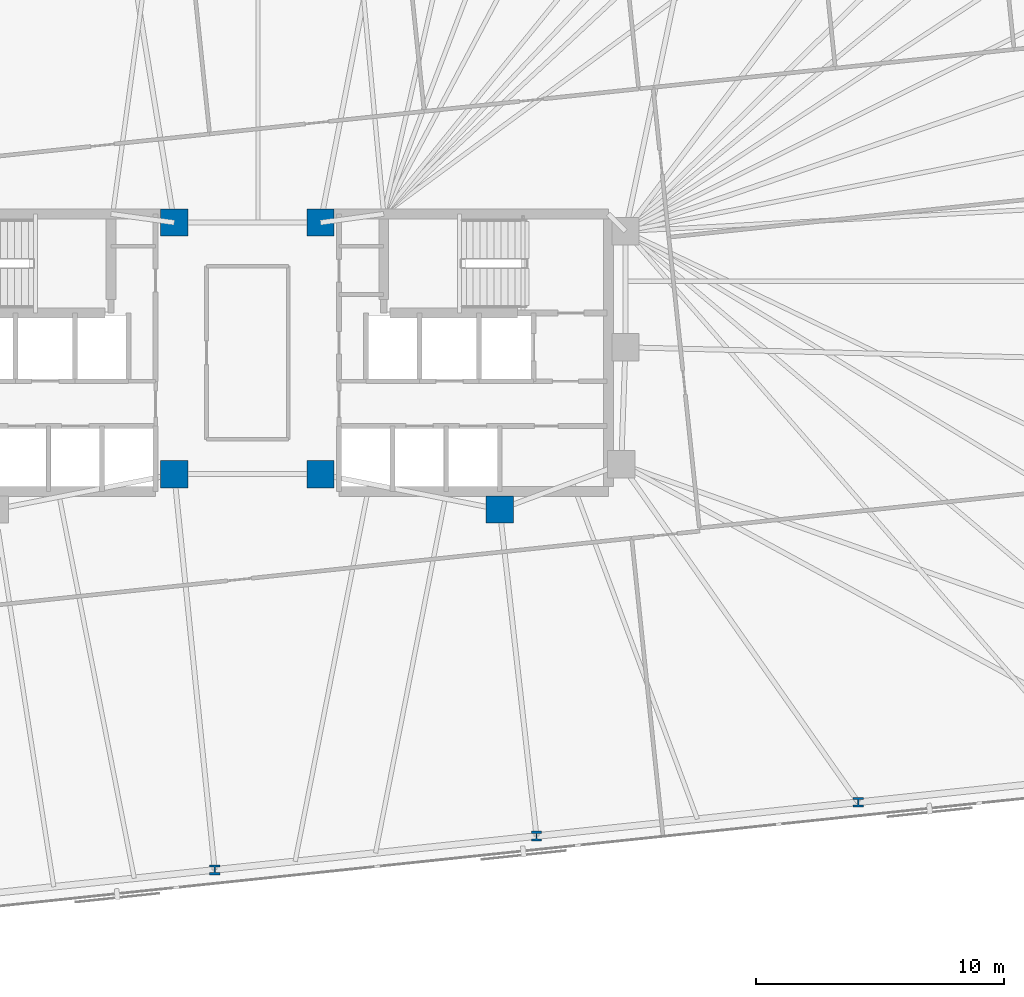
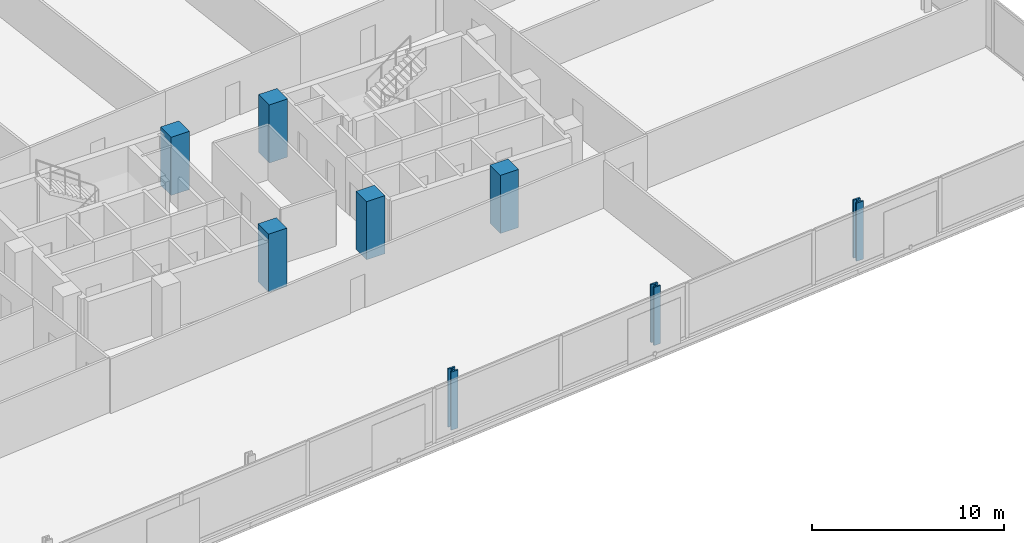
# One storey, part 3 of 18: 8 columns.
"""IFC4 building model written with IfcOpenShell, lengths in metres."""

from ifc_helpers import new_model, si_unit, direction, frame, origin, origin_2d, place, context, subcontext, project, spatial, rectangle, i_section, extrude, material, material_profile, profile_set, type_object, element, save


model = new_model("IFC4")

# Units and contexts
model_context = context("Model", 3, precision=1e-05, world=origin(), true_north=direction((0.0, 1.0)))
body_context = subcontext(model_context, "Body", "Model", "MODEL_VIEW")
ifc_project = project(units=[si_unit("LENGTHUNIT", "METRE"), si_unit("AREAUNIT", "SQUARE_METRE"), si_unit("VOLUMEUNIT", "CUBIC_METRE"), si_unit("PLANEANGLEUNIT", "RADIAN"), si_unit("MASSUNIT", "GRAM", prefix="KILO")], contexts=[model_context])

# Site, building, storey
site_placement = place(None, origin())
site = spatial("IfcSite", under=ifc_project, at=site_placement, CompositionType="ELEMENT")
building_placement = place(site_placement, origin())
building = spatial("IfcBuilding", under=site, at=building_placement, Name="Menara Jurai Vektor", CompositionType="ELEMENT")
storey_placement = place(building_placement, frame((0.0, 0.0, 105.89990234375)))
storey = spatial("IfcBuildingStorey", under=building, at=storey_placement, Name="L26", CompositionType="ELEMENT", Elevation=105.89990234375)

# Columns
ifc_material_1 = material(Name="Concrete C50/60", Category="concrete")
ifc_material_profile_1 = material_profile(ifc_material_1, rectangle(XDim=1.10009765625, YDim=1.10009765625, at=origin_2d()), Name="RC 1100x1100")
ifc_profile_set_1 = profile_set([ifc_material_profile_1], Name="Concrete C50/60")
column_type_1 = type_object("IfcColumnType", Name="STR-COL-RC1100", PredefinedType="COLUMN", material=ifc_profile_set_1)
for number, where, z_axis, x_axis, name in (
    (1, (-2.949951171875, -4.89990234375, 0.0), (0.0, 0.0, 1.0), (1.0, 0.0, 0.0), "Core Spine Column CW-SE L26"),
    (2, (-2.949951171875, 5.25, 0.0), (0.0, 0.0, 1.0), (1.0, 0.0, 0.0), "Core Spine Column CW-NE L26"),
    (3, (10.179931640625, -6.320068359375, 0.0), (0.0, 0.0, 1.0), (1.0, 0.0, 0.0), "Core Spine Column CE-SM L26"),
    (4, (2.949951171875, -4.89990234375, 0.0), (0.0, 0.0, 1.0), (1.0, 0.0, 0.0), "Core Spine Column CE-SW L26"),
    (5, (2.949951171875, 5.25, 0.0), (0.0, 0.0, 1.0), (1.0, 0.0, 0.0), "Core Spine Column CE-NW L26"),
):
    element("IfcColumn", number, at=place(storey_placement, frame(where, z_axis=z_axis, x_axis=x_axis)), inside=storey, type_object=column_type_1, Name=name, PredefinedType="COLUMN", context=body_context, shape_type="SweptSolid", body=[
        extrude(rectangle(XDim=1.10009765625, YDim=1.10009765625, at=origin_2d()), origin(), (0.0, 0.0, 1.0), 3.7001953125),
    ])
ifc_material_2 = material(Name="Steel S460", Category="steel")
ifc_material_profile_2 = material_profile(ifc_material_2, i_section(OverallWidth=0.4130859375, OverallDepth=0.39794921875, WebThickness=0.055908203125, FlangeThickness=0.089111328125, FilletRadius=0.014892578125, at=origin_2d()), Name="HD 400x744")
ifc_profile_set_2 = profile_set([ifc_material_profile_2], Name="Steel S460")
column_type_2 = type_object("IfcColumnType", Name="STR-EXO-BLK2", PredefinedType="COLUMN", material=ifc_profile_set_2)
for number, where, z_axis, x_axis, name in (
    (6, (-1.317138671875, -20.857666015625, 0.0), (0.0, 0.0, 1.0), (1.0, 0.0, 0.0), "Exoskeleton Column BLK2-S3 L26"),
    (7, (11.66259765625, -19.49365234375, 0.0), (0.0, 0.0, 1.0), (1.0, 0.0, 0.0), "Exoskeleton Column BLK2-S4 L26"),
    (8, (24.642333984375, -18.12939453125, 0.0), (0.0, 0.0, 1.0), (1.0, 0.0, 0.0), "Exoskeleton Column BLK2-S5 L26"),
):
    element("IfcColumn", number, at=place(storey_placement, frame(where, z_axis=z_axis, x_axis=x_axis)), inside=storey, type_object=column_type_2, Name=name, PredefinedType="COLUMN", context=body_context, shape_type="SweptSolid", body=[
        extrude(i_section(OverallWidth=0.4130859375, OverallDepth=0.39794921875, WebThickness=0.055908203125, FlangeThickness=0.089111328125, FilletRadius=0.014892578125, at=origin_2d()), origin(), (0.0, 0.0, 1.0), 3.7001953125),
    ])

save(model, "model.ifc")
